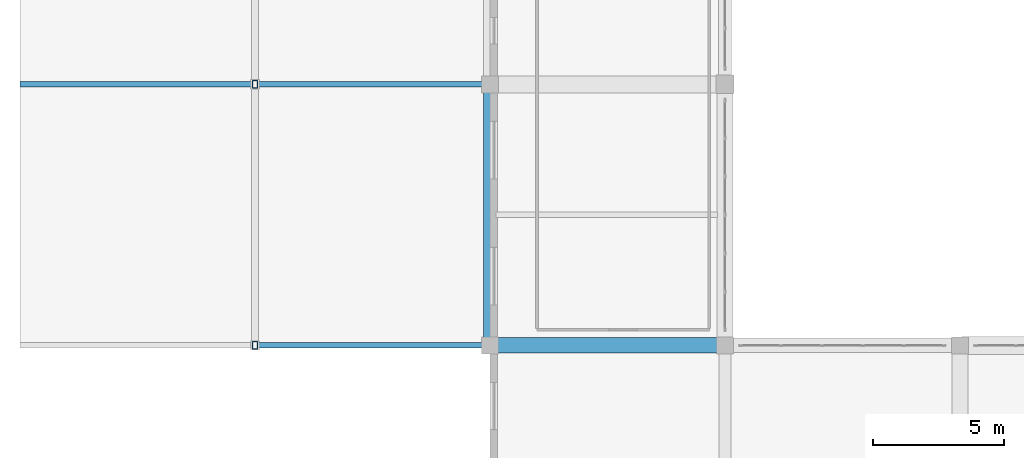
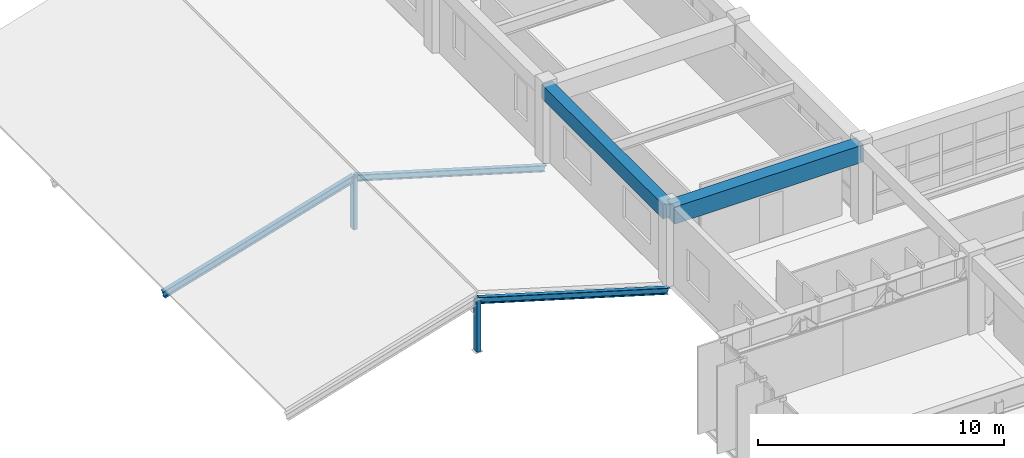
# One storey, part 49 of 130: 5 members, 2 beams.
"""IFC4 building model written with IfcOpenShell, lengths in metres."""

from ifc_helpers import new_model, si_unit, direction, frame, origin, origin_2d, place, context, subcontext, project, spatial, rectangle, hollow_rectangle, i_section, extrude, material, material_profile, profile_set, type_object, element, save


model = new_model("IFC4")

# Units and contexts
model_context = context("Model", 3, precision=1e-05, world=origin(), true_north=direction((0.0, 1.0)))
body_context = subcontext(model_context, "Body", "Model", "MODEL_VIEW")
ifc_project = project(units=[si_unit("LENGTHUNIT", "METRE"), si_unit("AREAUNIT", "SQUARE_METRE"), si_unit("VOLUMEUNIT", "CUBIC_METRE"), si_unit("PLANEANGLEUNIT", "RADIAN"), si_unit("MASSUNIT", "GRAM", prefix="KILO")], contexts=[model_context])

# Site, building, storey
site_placement = place(None, origin())
site = spatial("IfcSite", under=ifc_project, at=site_placement, CompositionType="ELEMENT")
building_placement = place(site_placement, origin())
building = spatial("IfcBuilding", under=site, at=building_placement, Name="Miravela Opera House", CompositionType="ELEMENT")
storey_placement = place(building_placement, frame((0.0, 0.0, 9.52001953125)))
storey = spatial("IfcBuildingStorey", under=building, at=storey_placement, Name="L02", CompositionType="ELEMENT", Elevation=9.52001953125)

# Beams
ifc_material_1 = material(Name="Concrete C35/45", Category="concrete")
ifc_material_profile_1 = material_profile(ifc_material_1, rectangle(XDim=0.5, YDim=0.699951171875, at=origin_2d()), Name="RC-BM-500X700")
ifc_profile_set_1 = profile_set([ifc_material_profile_1])
beam_type_1 = type_object("IfcBeamType", Name="STR-BM-RC500X700", PredefinedType="BEAM", material=ifc_profile_set_1)
beam_1_placement = place(storey_placement, frame((18.0, 84.080078125, 3.489990234375), z_axis=(0.0, 1.0, 0.0), x_axis=(-1.0, 0.0, 0.0)))
element("IfcBeam", 1, at=beam_1_placement, inside=storey, type_object=beam_type_1, Name="Floor Girder L02 3/J-K", PredefinedType="BEAM", context=body_context, shape_type="SweptSolid", body=[
    extrude(rectangle(XDim=0.5, YDim=0.699951171875, at=origin_2d()), origin(), (0.0, 0.0, 1.0), 9.83984375),
])
ifc_material_2 = material(Name="Concrete C40/50", Category="concrete")
ifc_material_profile_2 = material_profile(ifc_material_2, rectangle(XDim=0.60009765625, YDim=0.85009765625, at=origin_2d()), Name="RC-BM-600X850")
ifc_profile_set_2 = profile_set([ifc_material_profile_2])
beam_type_2 = type_object("IfcBeamType", Name="STR-BM-RC600X850", PredefinedType="BEAM", material=ifc_profile_set_2)
beam_2_placement = place(storey_placement, frame((18.080078125, 84.0, 3.4150390625), z_axis=(1.0, 0.0, 0.0), x_axis=(0.0, 1.0, 0.0)))
element("IfcBeam", 2, at=beam_2_placement, inside=storey, type_object=beam_type_2, Name="Floor Girder L02 3-4/J", PredefinedType="BEAM", context=body_context, shape_type="SweptSolid", body=[
    extrude(rectangle(XDim=0.60009765625, YDim=0.85009765625, at=origin_2d()), origin(), (0.0, 0.0, 1.0), 8.83984375),
])

# Members
ifc_material_3 = material(Name="Hollow structural steel ASTM A500 Gr. C", Category="steel")
ifc_material_profile_3 = material_profile(ifc_material_3, hollow_rectangle(XDim=0.199951171875, YDim=0.300048828125, WallThickness=0.011962890625, InnerFilletRadius=0.011962890625, OuterFilletRadius=0.02392578125, at=origin_2d()), Name="HSS300X200X12")
ifc_profile_set_3 = profile_set([ifc_material_profile_3])
member_type_1 = type_object("IfcMemberType", Name="STR-MEM-POST-HSS300X200", PredefinedType="POST", material=ifc_profile_set_3)
for number, where, z_axis, x_axis, name in (
    (3, (9.0, 84.0, -0.25), (0.0, 0.0, 1.0), (1.0, 0.0, 0.0), "Roof Gable King Post ROOF-V5-NORTH S"),
    (4, (9.0, 94.0, -0.25), (0.0, 0.0, 1.0), (1.0, 0.0, 0.0), "Roof Ridge Support Post ROOF-V5-NORTH M1"),
):
    element("IfcMember", number, at=place(storey_placement, frame(where, z_axis=z_axis, x_axis=x_axis)), inside=storey, type_object=member_type_1, Name=name, PredefinedType="POST", context=body_context, shape_type="SweptSolid", body=[
        extrude(hollow_rectangle(XDim=0.199951171875, YDim=0.300048828125, WallThickness=0.011962890625, InnerFilletRadius=0.011962890625, OuterFilletRadius=0.02392578125, at=origin_2d()), origin(), (0.0, 0.0, 1.0), 2.570068359375),
    ])
ifc_material_4 = material(Name="Structural steel ASTM A992 Gr. 50", Category="steel")
ifc_material_profile_4 = material_profile(ifc_material_4, i_section(OverallWidth=0.2041015625, OverallDepth=0.35009765625, WebThickness=0.008544921875, FlangeThickness=0.01513671875, FilletRadius=0.013916015625, at=origin_2d()), Name="W360X72")
ifc_profile_set_4 = profile_set([ifc_material_profile_4])
member_type_2 = type_object("IfcMemberType", Name="STR-MEM-RAFTER-1", PredefinedType="RAFTER", material=ifc_profile_set_4)
member_placement = place(storey_placement, frame((0.050048828125, 94.0, -0.39990234375), z_axis=(0.958562219619, 0.0, 0.284883258756), x_axis=(0.0, 1.0, 0.0)))
element("IfcMember", 5, at=member_placement, inside=storey, type_object=member_type_2, Name="Pitched Roof Rafter ROOF-V5-NORTH W1", PredefinedType="RAFTER", context=body_context, shape_type="SweptSolid", body=[
    extrude(i_section(OverallWidth=0.2041015625, OverallDepth=0.35009765625, WebThickness=0.008544921875, FlangeThickness=0.01513671875, FilletRadius=0.013916015625, at=origin_2d()), origin(), (0.0, 0.0, 1.0), 9.3369140625),
])
ifc_material_profile_5 = material_profile(ifc_material_4, i_section(OverallWidth=0.202880859375, OverallDepth=0.302978515625, WebThickness=0.007568359375, FlangeThickness=0.01318359375, FilletRadius=0.012939453125, at=origin_2d()), Name="W310X60")
ifc_profile_set_5 = profile_set([ifc_material_profile_5])
member_type_3 = type_object("IfcMemberType", Name="STR-MEM-RAFTER-2", PredefinedType="RAFTER", material=ifc_profile_set_5)
for number, where, z_axis, x_axis, name in (
    (6, (17.949951171875, 84.0, -0.39990234375), (-0.958562219619, 0.0, 0.284883258756), (0.0, -1.0, 0.0), "Pitched Roof Rafter ROOF-V5-NORTH E0"),
    (7, (17.949951171875, 94.0, -0.39990234375), (-0.958562219619, 0.0, 0.284883258756), (0.0, -1.0, 0.0), "Pitched Roof Rafter ROOF-V5-NORTH E1"),
):
    element("IfcMember", number, at=place(storey_placement, frame(where, z_axis=z_axis, x_axis=x_axis)), inside=storey, type_object=member_type_3, Name=name, PredefinedType="RAFTER", context=body_context, shape_type="SweptSolid", body=[
        extrude(i_section(OverallWidth=0.202880859375, OverallDepth=0.302978515625, WebThickness=0.007568359375, FlangeThickness=0.01318359375, FilletRadius=0.012939453125, at=origin_2d()), origin(), (0.0, 0.0, 1.0), 9.3369140625),
    ])

save(model, "model.ifc")
